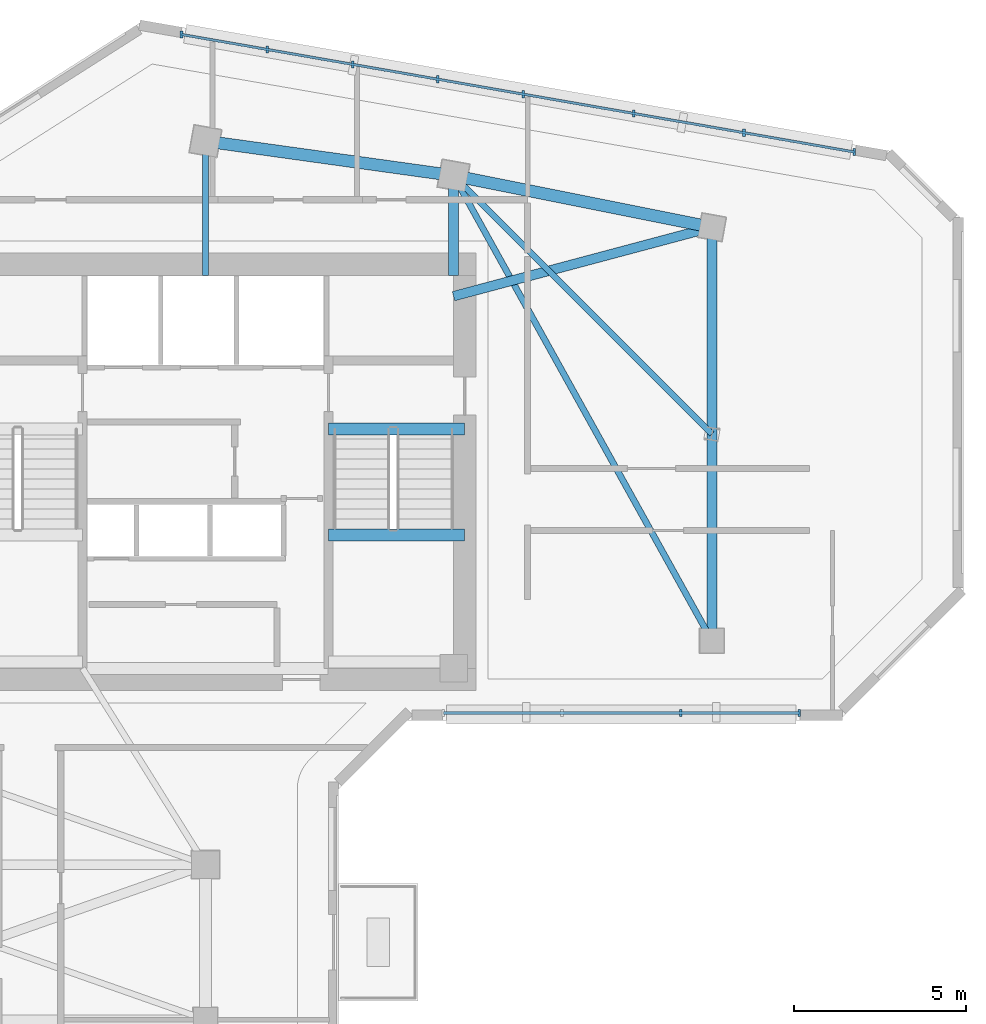
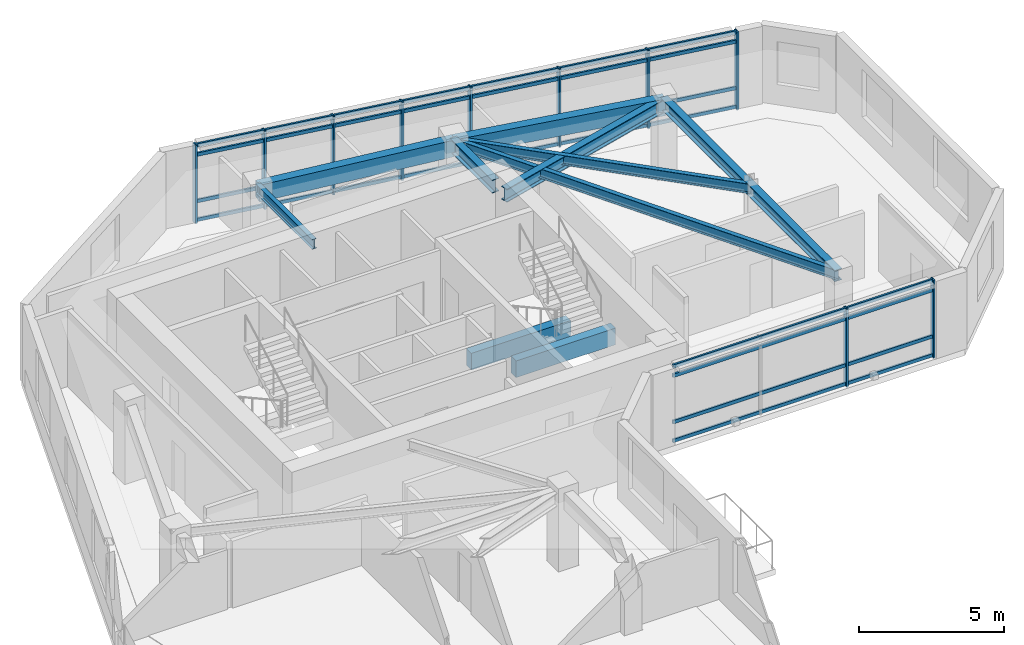
# One storey, part 2 of 9: 18 members, 10 beams, 2 elements without a shape of their own.
"""IFC4 building model written with IfcOpenShell, lengths in metres."""

from ifc_helpers import new_model, si_unit, direction, frame, origin, origin_2d, place, context, subcontext, project, spatial, rectangle, i_section, extrude, source, transform, mapped, material, material_profile, profile_set, type_object, element, aggregate, save


model = new_model("IFC4")

# Units and contexts
model_context = context("Model", 3, precision=1e-05, world=origin(), true_north=direction((0.0, 1.0)))
body_context = subcontext(model_context, "Body", "Model", "MODEL_VIEW")
ifc_project = project(units=[si_unit("LENGTHUNIT", "METRE"), si_unit("AREAUNIT", "SQUARE_METRE"), si_unit("VOLUMEUNIT", "CUBIC_METRE"), si_unit("PLANEANGLEUNIT", "RADIAN"), si_unit("MASSUNIT", "GRAM", prefix="KILO")], contexts=[model_context])

# Site, building, storey
site_placement = place(None, origin())
site = spatial("IfcSite", under=ifc_project, at=site_placement, CompositionType="ELEMENT")
building_placement = place(site_placement, origin())
building = spatial("IfcBuilding", under=site, at=building_placement, Name="Calvemar Wedge Station Tower", CompositionType="ELEMENT")
storey_placement = place(building_placement, frame((0.0, 0.0, 235.89990234375)))
storey = spatial("IfcBuildingStorey", under=building, at=storey_placement, Name="L60", CompositionType="ELEMENT", Elevation=235.89990234375)

# Beams
ifc_material_1 = material(Name="Structural steel ASTM A572 Grade 50", Category="steel")
ifc_material_profile_1 = material_profile(ifc_material_1, i_section(OverallWidth=0.177978515625, OverallDepth=0.406982421875, WebThickness=0.0078125, FlangeThickness=0.0126953125, FilletRadius=0.010009765625, at=origin_2d()), Name="W410x60")
ifc_profile_set_1 = profile_set([ifc_material_profile_1], Name="Structural steel ASTM A572 Grade 50")
beam_type_1 = type_object("IfcBeamType", Name="BM-J3-W410", PredefinedType="JOIST", material=ifc_profile_set_1)
shared_shape_1 = source(origin(), body_context, "Body", "SweptSolid", [
    extrude(i_section(OverallWidth=0.177978515625, OverallDepth=0.406982421875, WebThickness=0.0078125, FlangeThickness=0.0126953125, FilletRadius=0.010009765625, at=origin_2d()), origin(), (0.0, 0.0, 1.0), 15.443359375),
])
beam_1_placement = place(storey_placement, frame((31.0, 48.5, 3.046630859375), z_axis=(0.485642931179, -0.874157276122, 0.0), x_axis=(0.874157276122, 0.485642931179, 0.0)))
element("IfcBeam", 1, at=beam_1_placement, inside=storey, type_object=beam_type_1, Name="Storey L60 Floor Beam T-N2-T-NL2", PredefinedType="JOIST", context=body_context, shape_type="MappedRepresentation", body=[
    mapped(shared_shape_1, transform((0.0, 0.0, 0.0), scale=1.0)),
])
ifc_material_profile_2 = material_profile(ifc_material_1, i_section(OverallWidth=0.279052734375, OverallDepth=0.553955078125, WebThickness=0.017578125, FlangeThickness=0.029541015625, FilletRadius=0.014892578125, at=origin_2d()), Name="W530x196")
ifc_profile_set_2 = profile_set([ifc_material_profile_2], Name="Structural steel ASTM A572 Grade 50")
beam_type_2 = type_object("IfcBeamType", Name="BM-SB3-W530H", PredefinedType="BEAM", material=ifc_profile_set_2)
shared_shape_2 = source(origin(), body_context, "Body", "SweptSolid", [
    extrude(i_section(OverallWidth=0.279052734375, OverallDepth=0.553955078125, WebThickness=0.017578125, FlangeThickness=0.029541015625, FilletRadius=0.014892578125, at=origin_2d()), origin(), (0.0, 0.0, 1.0), 7.76220703125),
])
beam_2_placement = place(storey_placement, frame((31.0, 45.0, 2.97314453125), z_axis=(0.966234939601, 0.25766265056, 0.0), x_axis=(-0.25766265056, 0.966234939601, 0.0)))
element("IfcBeam", 2, at=beam_2_placement, inside=storey, type_object=beam_type_2, Name="Storey L60 Core-to-Column Joist CJ-E2", PredefinedType="BEAM", context=body_context, shape_type="MappedRepresentation", body=[
    mapped(shared_shape_2, transform((0.0, 0.0, 0.0), scale=1.0)),
])
shared_shape_3 = source(origin(), body_context, "Body", "SweptSolid", [
    extrude(i_section(OverallWidth=0.177978515625, OverallDepth=0.406982421875, WebThickness=0.0078125, FlangeThickness=0.0126953125, FilletRadius=0.010009765625, at=origin_2d()), origin(), (0.0, 0.0, 1.0), 3.89990234375),
])
beam_3_placement = place(storey_placement, frame((23.800048828125, 45.60009765625, 3.046630859375), z_axis=(0.0, 1.0, 0.0), x_axis=(-1.0, 0.0, 0.0)))
element("IfcBeam", 3, at=beam_3_placement, inside=storey, type_object=beam_type_1, Name="Storey L60 Core-to-Column Joist CJ-N1", PredefinedType="JOIST", context=body_context, shape_type="MappedRepresentation", body=[
    mapped(shared_shape_3, transform((0.0, 0.0, 0.0), scale=1.0)),
])
shared_shape_4 = source(origin(), body_context, "Body", "SweptSolid", [
    extrude(i_section(OverallWidth=0.279052734375, OverallDepth=0.553955078125, WebThickness=0.017578125, FlangeThickness=0.029541015625, FilletRadius=0.014892578125, at=origin_2d()), origin(), (0.0, 0.0, 1.0), 2.89990234375),
])
beam_4_placement = place(storey_placement, frame((31.0, 45.60009765625, 2.97314453125), z_axis=(0.0, 1.0, 0.0), x_axis=(-1.0, 0.0, 0.0)))
element("IfcBeam", 4, at=beam_4_placement, inside=storey, type_object=beam_type_2, Name="Storey L60 Core-to-Column Joist CJ-N2", PredefinedType="BEAM", context=body_context, shape_type="MappedRepresentation", body=[
    mapped(shared_shape_4, transform((0.0, 0.0, 0.0), scale=1.0)),
])
shared_shape_5 = source(origin(), body_context, "Body", "SweptSolid", [
    extrude(i_section(OverallWidth=0.177978515625, OverallDepth=0.406982421875, WebThickness=0.0078125, FlangeThickness=0.0126953125, FilletRadius=0.010009765625, at=origin_2d()), origin(), (0.0, 0.0, 1.0), 10.606689453125),
])
beam_5_placement = place(storey_placement, frame((38.5, 41.0, 3.046630859375), z_axis=(-0.707106781187, 0.707106781187, 0.0), x_axis=(-0.707106781187, -0.707106781187, 0.0)))
element("IfcBeam", 5, at=beam_5_placement, inside=storey, type_object=beam_type_1, Name="Storey L60 Floor Beam T-NTIP-B-T-N2", PredefinedType="JOIST", context=body_context, shape_type="MappedRepresentation", body=[
    mapped(shared_shape_5, transform((0.0, 0.0, 0.0), scale=1.0)),
])
ifc_material_2 = material(Name="Concrete C70", Category="concrete")
ifc_material_profile_3 = material_profile(ifc_material_2, rectangle(XDim=0.35009765625, YDim=0.699951171875, at=origin_2d()), Name="RC350x700")
ifc_profile_set_3 = profile_set([ifc_material_profile_3], Name="Concrete C70")
beam_type_3 = type_object("IfcBeamType", Name="BM-LN1-700", PredefinedType="LINTEL", material=ifc_profile_set_3)
shared_shape_6 = source(origin(), body_context, "Body", "SweptSolid", [
    extrude(rectangle(XDim=0.35009765625, YDim=0.699951171875, at=origin_2d()), origin(), (0.0, 0.0, 1.0), 3.954833984375),
])
for number, where, z_axis, x_axis, name in (
    (6, (27.3701171875, 41.14990234375, -0.349853515625), (1.0, 0.0, 0.0), (0.0, 1.0, 0.0), "Storey L60 Stair ST-C2 Landing Trimmer Beam"),
    (7, (27.3701171875, 38.070068359375, 1.2001953125), (1.0, 0.0, 0.0), (0.0, 1.0, 0.0), "Storey L60 Stair ST-C2 Half-Landing Beam 1B"),
):
    element("IfcBeam", number, at=place(storey_placement, frame(where, z_axis=z_axis, x_axis=x_axis)), inside=storey, type_object=beam_type_3, Name=name, PredefinedType="LINTEL", context=body_context, shape_type="MappedRepresentation", body=[
        mapped(shared_shape_6, transform((0.0, 0.0, 0.0), scale=1.0)),
    ])
ifc_material_3 = material(Name="Concrete C50", Category="concrete")
ifc_material_profile_4 = material_profile(ifc_material_3, rectangle(XDim=0.35009765625, YDim=0.699951171875, at=origin_2d()), Name="RC350x700")
ifc_profile_set_4 = profile_set([ifc_material_profile_4], Name="Concrete C50")
beam_type_4 = type_object("IfcBeamType", Name="BM-SP2-700", PredefinedType="SPANDREL", material=ifc_profile_set_4)
shared_shape_7 = source(origin(), body_context, "Body", "SweptSolid", [
    extrude(rectangle(XDim=0.35009765625, YDim=0.699951171875, at=origin_2d()), origin(), (0.0, 0.0, 1.0), 7.26904296875),
])
beam_6_placement = place(storey_placement, frame((23.800048828125, 49.5, 2.900146484375), z_axis=(0.990492146053, -0.13756928657, 0.0), x_axis=(0.13756928657, 0.990492146053, 0.0)))
element("IfcBeam", 8, at=beam_6_placement, inside=storey, type_object=beam_type_4, Name="Storey L60 Spandrel T-N1-T-N2", PredefinedType="SPANDREL", context=body_context, shape_type="MappedRepresentation", body=[
    mapped(shared_shape_7, transform((0.0, 0.0, 0.0), scale=1.0)),
])
shared_shape_8 = source(origin(), body_context, "Body", "SweptSolid", [
    extrude(rectangle(XDim=0.35009765625, YDim=0.699951171875, at=origin_2d()), origin(), (0.0, 0.0, 1.0), 7.6484375),
])
beam_7_placement = place(storey_placement, frame((31.0, 48.5, 2.900146484375), z_axis=(0.980580675691, -0.196116135138, 0.0), x_axis=(0.196116135138, 0.980580675691, 0.0)))
element("IfcBeam", 9, at=beam_7_placement, inside=storey, type_object=beam_type_4, Name="Storey L60 Spandrel T-N2-T-NU3", PredefinedType="SPANDREL", context=body_context, shape_type="MappedRepresentation", body=[
    mapped(shared_shape_8, transform((0.0, 0.0, 0.0), scale=1.0)),
])
ifc_material_profile_5 = material_profile(ifc_material_1, i_section(OverallWidth=0.283935546875, OverallDepth=0.47607421875, WebThickness=0.014892578125, FlangeThickness=0.02392578125, FilletRadius=0.014892578125, at=origin_2d()), Name="W460x158")
ifc_profile_set_5 = profile_set([ifc_material_profile_5], Name="Structural steel ASTM A572 Grade 50")
beam_type_5 = type_object("IfcBeamType", Name="BM-SB5-W460H", PredefinedType="BEAM", material=ifc_profile_set_5)
shared_shape_9 = source(origin(), body_context, "Body", "SweptSolid", [
    extrude(i_section(OverallWidth=0.283935546875, OverallDepth=0.47607421875, WebThickness=0.014892578125, FlangeThickness=0.02392578125, FilletRadius=0.014892578125, at=origin_2d()), origin(), (0.0, 0.0, 1.0), 12.0),
])
beam_8_placement = place(storey_placement, frame((38.5, 47.0, 3.01220703125), z_axis=(0.0, -1.0, 0.0), x_axis=(1.0, 0.0, 0.0)))
element("IfcBeam", 10, at=beam_8_placement, inside=storey, type_object=beam_type_5, Name="Storey L60 Floor Beam T-NU3-T-NL2", PredefinedType="BEAM", context=body_context, shape_type="MappedRepresentation", body=[
    mapped(shared_shape_9, transform((0.0, 0.0, 0.0), scale=1.0)),
])

# Curtain wall, members
ifc_material_4 = material(Name="Anodised aluminium 6063-T6", Category="aluminium")
curtain_wall_type = type_object("IfcCurtainWallType", Name="CW3", PredefinedType="NOTDEFINED", material=ifc_material_4)
curtain_wall_1_placement = place(storey_placement, origin())
curtain_wall_1 = element("IfcCurtainWall", 11, at=curtain_wall_1_placement, inside=storey, type_object=curtain_wall_type, Name="Storey L60 CW3 Recessed Unitised Curtain Wall 6", PredefinedType="NOTDEFINED")
ifc_material_profile_6 = material_profile(ifc_material_4, rectangle(XDim=0.074951171875, YDim=0.2099609375, at=origin_2d()), Name="AL-MUL-75x210")
ifc_profile_set_6 = profile_set([ifc_material_profile_6], Name="Anodised aluminium 6063-T6")
member_type_1 = type_object("IfcMemberType", Name="CW3-MUL", PredefinedType="MULLION", material=ifc_profile_set_6)
shared_shape_10 = source(origin(), body_context, "Body", "SweptSolid", [
    extrude(rectangle(XDim=0.074951171875, YDim=0.2099609375, at=origin_2d()), origin(), (0.0, 0.0, 1.0), 3.2998046875),
])
member_1_placement = place(storey_placement, frame((37.592529296875, 32.902099609375, -0.0498046875), z_axis=(0.0, 0.0, 1.0), x_axis=(1.0, 0.0, 0.0)))
member_1 = element("IfcMember", 12, at=member_1_placement, type_object=member_type_1, Name="CW3 mullion 3", PredefinedType="MULLION", context=body_context, shape_type="MappedRepresentation", body=[
    mapped(shared_shape_10, transform((0.0, 0.0, 0.0), scale=1.0)),
])
member_2_placement = place(storey_placement, frame((41.037841796875, 32.902099609375, -0.0498046875), z_axis=(0.0, 0.0, 1.0), x_axis=(1.0, 0.0, 0.0)))
member_2 = element("IfcMember", 13, at=member_2_placement, type_object=member_type_1, Name="CW3 mullion 4", PredefinedType="MULLION", context=body_context, shape_type="MappedRepresentation", body=[
    mapped(shared_shape_10, transform((0.0, 0.0, 0.0), scale=1.0)),
])

curtain_wall_2_placement = place(storey_placement, origin())
curtain_wall_2 = element("IfcCurtainWall", 14, at=curtain_wall_2_placement, inside=storey, type_object=curtain_wall_type, Name="Storey L60 CW3 Recessed Unitised Curtain Wall 10", PredefinedType="NOTDEFINED")
member_3_placement = place(storey_placement, frame((42.633544921875, 49.1826171875, -0.0498046875), z_axis=(0.0, 0.0, 1.0), x_axis=(1.0, 0.0, 0.0)))
member_3 = element("IfcMember", 15, at=member_3_placement, type_object=member_type_1, Name="CW3 mullion 1", PredefinedType="MULLION", context=body_context, shape_type="MappedRepresentation", body=[
    mapped(shared_shape_10, transform((0.0, 0.0, 0.0), scale=1.0)),
])
member_4_placement = place(storey_placement, frame((39.4296875, 49.7421875, -0.0498046875), z_axis=(0.0, 0.0, 1.0), x_axis=(1.0, 0.0, 0.0)))
member_4 = element("IfcMember", 16, at=member_4_placement, type_object=member_type_1, Name="CW3 mullion 2", PredefinedType="MULLION", context=body_context, shape_type="MappedRepresentation", body=[
    mapped(shared_shape_10, transform((0.0, 0.0, 0.0), scale=1.0)),
])
member_5_placement = place(storey_placement, frame((36.2255859375, 50.302001953125, -0.0498046875), z_axis=(0.0, 0.0, 1.0), x_axis=(1.0, 0.0, 0.0)))
member_5 = element("IfcMember", 17, at=member_5_placement, type_object=member_type_1, Name="CW3 mullion 3", PredefinedType="MULLION", context=body_context, shape_type="MappedRepresentation", body=[
    mapped(shared_shape_10, transform((0.0, 0.0, 0.0), scale=1.0)),
])
member_6_placement = place(storey_placement, frame((33.021484375, 50.861572265625, -0.0498046875), z_axis=(0.0, 0.0, 1.0), x_axis=(1.0, 0.0, 0.0)))
member_6 = element("IfcMember", 18, at=member_6_placement, type_object=member_type_1, Name="CW3 mullion 4", PredefinedType="MULLION", context=body_context, shape_type="MappedRepresentation", body=[
    mapped(shared_shape_10, transform((0.0, 0.0, 0.0), scale=1.0)),
])
member_7_placement = place(storey_placement, frame((30.54638671875, 51.2939453125, -0.0498046875), z_axis=(0.0, 0.0, 1.0), x_axis=(1.0, 0.0, 0.0)))
member_7 = element("IfcMember", 19, at=member_7_placement, type_object=member_type_1, Name="CW3 mullion 5", PredefinedType="MULLION", context=body_context, shape_type="MappedRepresentation", body=[
    mapped(shared_shape_10, transform((0.0, 0.0, 0.0), scale=1.0)),
])
member_8_placement = place(storey_placement, frame((28.071533203125, 51.726318359375, -0.0498046875), z_axis=(0.0, 0.0, 1.0), x_axis=(1.0, 0.0, 0.0)))
member_8 = element("IfcMember", 20, at=member_8_placement, type_object=member_type_1, Name="CW3 mullion 6", PredefinedType="MULLION", context=body_context, shape_type="MappedRepresentation", body=[
    mapped(shared_shape_10, transform((0.0, 0.0, 0.0), scale=1.0)),
])
member_9_placement = place(storey_placement, frame((25.588134765625, 52.159912109375, -0.0498046875), z_axis=(0.0, 0.0, 1.0), x_axis=(1.0, 0.0, 0.0)))
member_9 = element("IfcMember", 21, at=member_9_placement, type_object=member_type_1, Name="CW3 mullion 7", PredefinedType="MULLION", context=body_context, shape_type="MappedRepresentation", body=[
    mapped(shared_shape_10, transform((0.0, 0.0, 0.0), scale=1.0)),
])
member_10_placement = place(storey_placement, frame((23.104736328125, 52.59375, -0.0498046875), z_axis=(0.0, 0.0, 1.0), x_axis=(1.0, 0.0, 0.0)))
member_10 = element("IfcMember", 22, at=member_10_placement, type_object=member_type_1, Name="CW3 mullion 8", PredefinedType="MULLION", context=body_context, shape_type="MappedRepresentation", body=[
    mapped(shared_shape_10, transform((0.0, 0.0, 0.0), scale=1.0)),
])

# Member
ifc_material_profile_7 = material_profile(ifc_material_4, rectangle(XDim=0.074951171875, YDim=0.14501953125, at=origin_2d()), Name="AL-TRN-75x145")
ifc_profile_set_7 = profile_set([ifc_material_profile_7], Name="Anodised aluminium 6063-T6")
member_type_2 = type_object("IfcMemberType", Name="CW3-TRN", PredefinedType="USERDEFINED", material=ifc_profile_set_7)
shared_shape_11 = source(origin(), body_context, "Body", "SweptSolid", [
    extrude(rectangle(XDim=0.074951171875, YDim=0.14501953125, at=origin_2d()), origin(), (0.0, 0.0, 1.0), 10.3359375),
])
member_11_placement = place(storey_placement, frame((30.701904296875, 32.902099609375, 0.06005859375), z_axis=(1.0, 0.0, 0.0), x_axis=(0.0, 1.0, 0.0)))
member_11 = element("IfcMember", 23, at=member_11_placement, type_object=member_type_2, Name="CW3 transom 1", ObjectType="TRANSOM", PredefinedType="USERDEFINED", context=body_context, shape_type="MappedRepresentation", body=[
    mapped(shared_shape_11, transform((0.0, 0.0, 0.0), scale=1.0)),
])

member_12_placement = place(storey_placement, frame((30.701904296875, 32.902099609375, 0.85009765625), z_axis=(1.0, 0.0, 0.0), x_axis=(0.0, 1.0, 0.0)))
member_12 = element("IfcMember", 24, at=member_12_placement, type_object=member_type_2, Name="CW3 transom 2", ObjectType="TRANSOM", PredefinedType="USERDEFINED", context=body_context, shape_type="MappedRepresentation", body=[
    mapped(shared_shape_11, transform((0.0, 0.0, 0.0), scale=1.0)),
])

member_13_placement = place(storey_placement, frame((30.701904296875, 32.902099609375, 2.800048828125), z_axis=(1.0, 0.0, 0.0), x_axis=(0.0, 1.0, 0.0)))
member_13 = element("IfcMember", 25, at=member_13_placement, type_object=member_type_2, Name="CW3 transom 3", ObjectType="TRANSOM", PredefinedType="USERDEFINED", context=body_context, shape_type="MappedRepresentation", body=[
    mapped(shared_shape_11, transform((0.0, 0.0, 0.0), scale=1.0)),
])

member_14_placement = place(storey_placement, frame((30.701904296875, 32.902099609375, 3.190185546875), z_axis=(1.0, 0.0, 0.0), x_axis=(0.0, 1.0, 0.0)))
member_14 = element("IfcMember", 26, at=member_14_placement, type_object=member_type_2, Name="CW3 transom 4", ObjectType="TRANSOM", PredefinedType="USERDEFINED", context=body_context, shape_type="MappedRepresentation", body=[
    mapped(shared_shape_11, transform((0.0, 0.0, 0.0), scale=1.0)),
])

aggregate(curtain_wall_1, [member_1, member_2, member_11, member_12, member_13, member_14])

shared_shape_12 = source(origin(), body_context, "Body", "SweptSolid", [
    extrude(rectangle(XDim=0.074951171875, YDim=0.14501953125, at=origin_2d()), origin(), (0.0, 0.0, 1.0), 19.824462890625),
])
member_15_placement = place(storey_placement, frame((42.633544921875, 49.1826171875, 0.06005859375), z_axis=(-0.985085308681, 0.172066657493, 0.0), x_axis=(-0.172066657493, -0.985085308681, 0.0)))
member_15 = element("IfcMember", 27, at=member_15_placement, type_object=member_type_2, Name="CW3 transom 1", ObjectType="TRANSOM", PredefinedType="USERDEFINED", context=body_context, shape_type="MappedRepresentation", body=[
    mapped(shared_shape_12, transform((0.0, 0.0, 0.0), scale=1.0)),
])

member_16_placement = place(storey_placement, frame((42.633544921875, 49.1826171875, 0.85009765625), z_axis=(-0.985085308681, 0.172066657493, 0.0), x_axis=(-0.172066657493, -0.985085308681, 0.0)))
member_16 = element("IfcMember", 28, at=member_16_placement, type_object=member_type_2, Name="CW3 transom 2", ObjectType="TRANSOM", PredefinedType="USERDEFINED", context=body_context, shape_type="MappedRepresentation", body=[
    mapped(shared_shape_12, transform((0.0, 0.0, 0.0), scale=1.0)),
])

member_17_placement = place(storey_placement, frame((42.633544921875, 49.1826171875, 2.800048828125), z_axis=(-0.985085308681, 0.172066657493, 0.0), x_axis=(-0.172066657493, -0.985085308681, 0.0)))
member_17 = element("IfcMember", 29, at=member_17_placement, type_object=member_type_2, Name="CW3 transom 3", ObjectType="TRANSOM", PredefinedType="USERDEFINED", context=body_context, shape_type="MappedRepresentation", body=[
    mapped(shared_shape_12, transform((0.0, 0.0, 0.0), scale=1.0)),
])

member_18_placement = place(storey_placement, frame((42.633544921875, 49.1826171875, 3.190185546875), z_axis=(-0.985085308681, 0.172066657493, 0.0), x_axis=(-0.172066657493, -0.985085308681, 0.0)))
member_18 = element("IfcMember", 30, at=member_18_placement, type_object=member_type_2, Name="CW3 transom 4", ObjectType="TRANSOM", PredefinedType="USERDEFINED", context=body_context, shape_type="MappedRepresentation", body=[
    mapped(shared_shape_12, transform((0.0, 0.0, 0.0), scale=1.0)),
])

aggregate(curtain_wall_2, [member_3, member_4, member_5, member_6, member_7, member_8, member_9, member_10, member_15, member_16, member_17, member_18])

save(model, "model.ifc")
